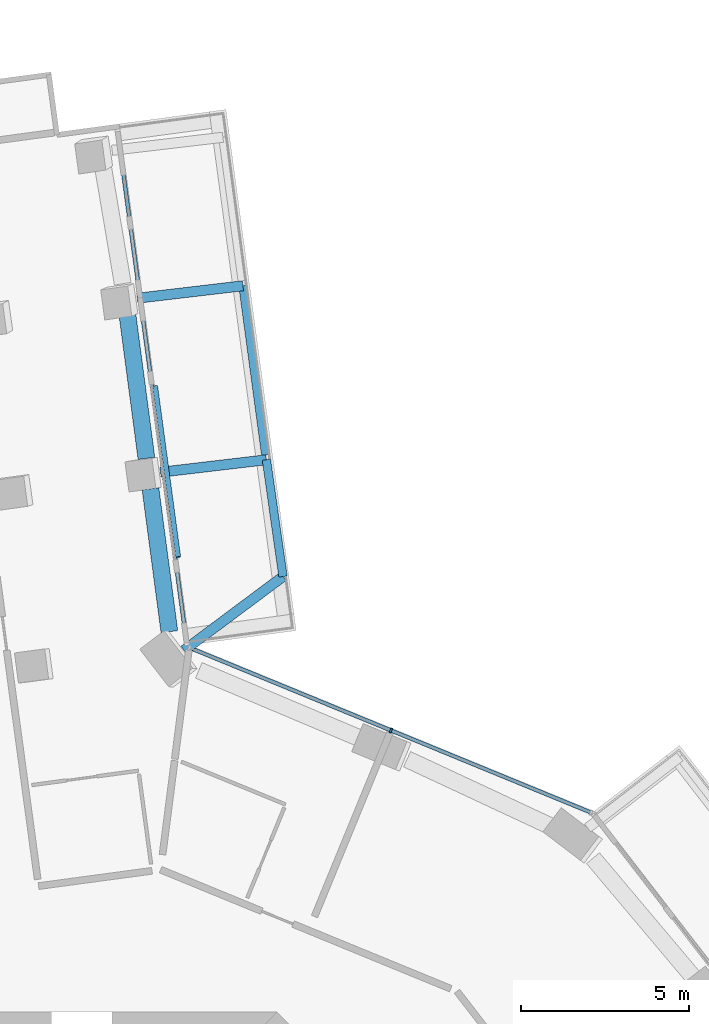
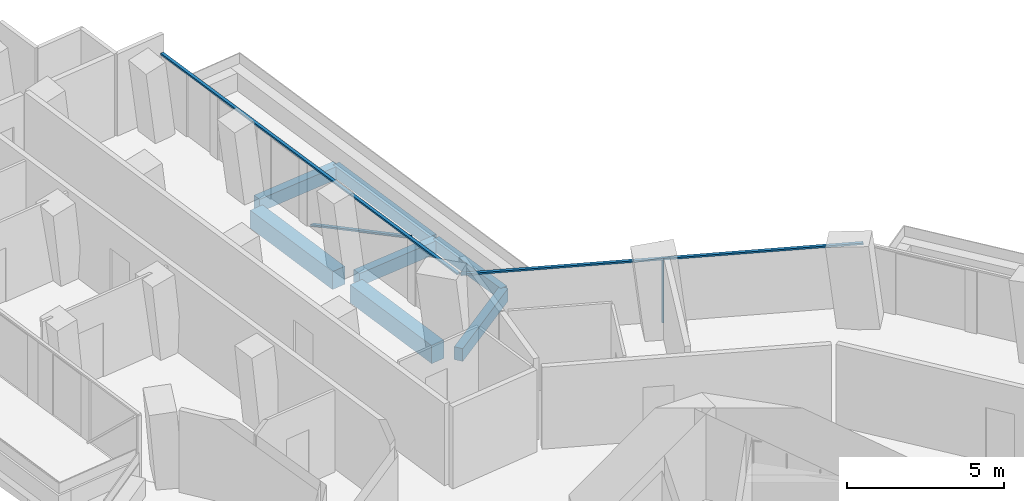
# One storey, part 10 of 27: 7 beams, 4 members, 2 elements without a shape of their own.
"""IFC4 building model written with IfcOpenShell, lengths in metres."""

from ifc_helpers import new_model, si_unit, direction, frame, origin, origin_2d, place, context, subcontext, project, spatial, rectangle, extrude, material, layer, layer_set, material_profile, profile_set, type_object, element, aggregate, save


model = new_model("IFC4")

# Units and contexts
model_context = context("Model", 3, precision=1e-05, world=origin(), true_north=direction((0.0, 1.0)))
body_context = subcontext(model_context, "Body", "Model", "MODEL_VIEW")
ifc_project = project(units=[si_unit("LENGTHUNIT", "METRE"), si_unit("AREAUNIT", "SQUARE_METRE"), si_unit("VOLUMEUNIT", "CUBIC_METRE"), si_unit("PLANEANGLEUNIT", "RADIAN"), si_unit("MASSUNIT", "GRAM", prefix="KILO")], contexts=[model_context])

# Site, building, storey
site_placement = place(None, origin())
site = spatial("IfcSite", under=ifc_project, at=site_placement, CompositionType="ELEMENT")
building_placement = place(site_placement, origin())
building = spatial("IfcBuilding", under=site, at=building_placement, Name="Verdalira Terraces Hotel", CompositionType="ELEMENT")
storey_placement = place(building_placement, frame((0.0, 0.0, 64.5)))
storey = spatial("IfcBuildingStorey", under=building, at=storey_placement, Name="L14", CompositionType="ELEMENT", Elevation=64.5)

# Beams
ifc_material_1 = material(Name="Concrete C40", Category="concrete")
ifc_material_profile_1 = material_profile(ifc_material_1, rectangle(XDim=0.300049, YDim=0.5, at=origin_2d()), Name="RC 300X500")
ifc_profile_set_1 = profile_set([ifc_material_profile_1], Name="Concrete C40")
beam_type_1 = type_object("IfcBeamType", Name="Balcony cantilever beam RC 300X500 C40", PredefinedType="BEAM", material=ifc_profile_set_1)
beam_1_placement = place(storey_placement, frame((3.040283, 24.751709, -0.560059), z_axis=(0.801587974, 0.597876844, 0.0), x_axis=(-0.597876844, 0.801587974, 0.0)))
element("IfcBeam", 1, at=beam_1_placement, inside=storey, type_object=beam_type_1, Name="Balcony cantilever beam R00-1", PredefinedType="BEAM", context=body_context, shape_type="SweptSolid", body=[
    extrude(rectangle(XDim=0.300049, YDim=0.5, at=origin_2d()), origin(), (0.0, 0.0, 1.0), 3.664795),
])
beam_2_placement = place(storey_placement, frame((2.340088, 30.041748, -0.560059), z_axis=(0.993136387, 0.116962029, 0.0), x_axis=(-0.116962029, 0.993136387, 0.0)))
element("IfcBeam", 2, at=beam_2_placement, inside=storey, type_object=beam_type_1, Name="Balcony cantilever beam R00-2", PredefinedType="BEAM", context=body_context, shape_type="SweptSolid", body=[
    extrude(rectangle(XDim=0.300049, YDim=0.5, at=origin_2d()), origin(), (0.0, 0.0, 1.0), 3.166504),
])
beam_3_placement = place(storey_placement, frame((1.649414, 35.210693, -0.560059), z_axis=(0.993136887, 0.116957782, 0.0), x_axis=(-0.116957782, 0.993136887, 0.0)))
element("IfcBeam", 3, at=beam_3_placement, inside=storey, type_object=beam_type_1, Name="Balcony cantilever beam R00-3", PredefinedType="BEAM", context=body_context, shape_type="SweptSolid", body=[
    extrude(rectangle(XDim=0.300049, YDim=0.5, at=origin_2d()), origin(), (0.0, 0.0, 1.0), 3.1604),
])
ifc_material_2 = material(Name="Concrete C40", Category="concrete")
ifc_material_profile_2 = material_profile(ifc_material_2, rectangle(XDim=0.25, YDim=0.449951, at=origin_2d()), Name="RC 250X450")
ifc_profile_set_2 = profile_set([ifc_material_profile_2], Name="Concrete C40")
beam_type_2 = type_object("IfcBeamType", Name="Balcony edge beam RC 250X450 C40", PredefinedType="BEAM", material=ifc_profile_set_2)
beam_4_placement = place(storey_placement, frame((5.978027, 26.942871, -0.534912), z_axis=(-0.140738532, 0.9900468, 0.0), x_axis=(-0.9900468, -0.140738532, 0.0)))
element("IfcBeam", 4, at=beam_4_placement, inside=storey, type_object=beam_type_2, Name="Balcony edge beam R00-1", PredefinedType="BEAM", context=body_context, shape_type="SweptSolid", body=[
    extrude(rectangle(XDim=0.25, YDim=0.449951, at=origin_2d()), origin(), (0.0, 0.0, 1.0), 3.50415),
])
beam_5_placement = place(storey_placement, frame((5.464844, 30.560791, -0.534912), z_axis=(-0.133615953, 0.991033187, 0.0), x_axis=(-0.991033187, -0.133615953, 0.0)))
element("IfcBeam", 5, at=beam_5_placement, inside=storey, type_object=beam_type_2, Name="Balcony edge beam R00-2", PredefinedType="BEAM", context=body_context, shape_type="SweptSolid", body=[
    extrude(rectangle(XDim=0.25, YDim=0.449951, at=origin_2d()), origin(), (0.0, 0.0, 1.0), 5.064941),
])

# Curtain wall, members
ifc_material_3 = material(Name="Clear glass", Category="glass")
ifc_layer_1 = layer(ifc_material_3, 0.14990234375)
ifc_layer_set_1 = layer_set([ifc_layer_1], Name="CW1 curtain wall")
curtain_wall_type_1 = type_object("IfcCurtainWallType", Name="CW1 curtain wall", PredefinedType="NOTDEFINED", material=ifc_layer_set_1)
curtain_wall_1_placement = place(storey_placement, origin())
curtain_wall_1 = element("IfcCurtainWall", 6, at=curtain_wall_1_placement, inside=storey, type_object=curtain_wall_type_1, Name="CW1 curtain wall L14 edge 41", PredefinedType="NOTDEFINED")
ifc_material_4 = material(Name="Terracotta frame", Category="masonry")
ifc_material_profile_3 = material_profile(ifc_material_4, rectangle(XDim=0.060059, YDim=0.149902, at=origin_2d()), Name="MU 60x150")
ifc_profile_set_3 = profile_set([ifc_material_profile_3], Name="Terracotta frame")
member_type_1 = type_object("IfcMemberType", Name="CW1 mullion 60x150", PredefinedType="MULLION", material=ifc_profile_set_3)
member_1_placement = place(storey_placement, frame((9.184326, 22.371338, 0.0), z_axis=(0.0, 0.0, 1.0), x_axis=(-0.925077207, 0.379779096, 0.0)))
member_1 = element("IfcMember", 7, at=member_1_placement, type_object=member_type_1, Name="CW1 mullion", PredefinedType="MULLION", context=body_context, shape_type="SweptSolid", body=[
    extrude(rectangle(XDim=0.060059, YDim=0.149902, at=origin_2d()), origin(), (0.0, 0.0, 1.0), 2.425049),
])
ifc_material_5 = material(Name="Terracotta frame", Category="masonry")
ifc_material_profile_4 = material_profile(ifc_material_5, rectangle(XDim=0.110107, YDim=0.064941, at=origin_2d()), Name="TR 65x110")
ifc_profile_set_4 = profile_set([ifc_material_profile_4], Name="Terracotta frame")
member_type_2 = type_object("IfcMemberType", Name="CW1 transom 65x110", PredefinedType="USERDEFINED", material=ifc_profile_set_4)
member_2_placement = place(storey_placement, frame((15.160156, 19.918213, 2.45752), z_axis=(-0.925076318, 0.37978126, 0.0), x_axis=(-0.37978126, -0.925076318, 0.0)))
member_2 = element("IfcMember", 8, at=member_2_placement, type_object=member_type_2, Name="CW1 transom", ObjectType="TRANSOM", PredefinedType="USERDEFINED", context=body_context, shape_type="SweptSolid", body=[
    extrude(rectangle(XDim=0.110107, YDim=0.064941, at=origin_2d()), origin(), (0.0, 0.0, 1.0), 12.959717),
])
aggregate(curtain_wall_1, [member_1, member_2])

ifc_material_6 = material(Name="Clear glass", Category="glass")
ifc_layer_2 = layer(ifc_material_6, 0.14990234375)
ifc_layer_set_2 = layer_set([ifc_layer_2], Name="CW2 curtain wall")
curtain_wall_type_2 = type_object("IfcCurtainWallType", Name="CW2 curtain wall", PredefinedType="NOTDEFINED", material=ifc_layer_set_2)
curtain_wall_2_placement = place(storey_placement, origin())
curtain_wall_2 = element("IfcCurtainWall", 9, at=curtain_wall_2_placement, inside=storey, type_object=curtain_wall_type_2, Name="CW2 curtain wall L14 edge 0", PredefinedType="NOTDEFINED")
ifc_material_7 = material(Name="Terracotta frame", Category="masonry")
ifc_material_profile_5 = material_profile(ifc_material_7, rectangle(XDim=0.11499, YDim=0.064941, at=origin_2d()), Name="TR 65x115")
ifc_profile_set_5 = profile_set([ifc_material_profile_5], Name="Terracotta frame")
member_type_3 = type_object("IfcMemberType", Name="CW2 transom 65x115", PredefinedType="USERDEFINED", material=ifc_profile_set_5)
member_3_placement = place(storey_placement, frame((3.125488, 24.899414, 2.45752), z_axis=(-0.133646891, 0.991029015, 0.0), x_axis=(-0.991029015, -0.133646891, 0.0)))
member_3 = element("IfcMember", 10, at=member_3_placement, type_object=member_type_3, Name="CW2 transom", ObjectType="TRANSOM", PredefinedType="USERDEFINED", context=body_context, shape_type="SweptSolid", body=[
    extrude(rectangle(XDim=0.11499, YDim=0.064941, at=origin_2d()), origin(), (0.0, 0.0, 1.0), 15.470703),
])
ifc_material_8 = material(Name="Terracotta frame", Category="masonry")
ifc_material_profile_6 = material_profile(ifc_material_8, rectangle(XDim=0.149902, YDim=0.060059, at=origin_2d()), Name="GB 60x150")
ifc_profile_set_6 = profile_set([ifc_material_profile_6], Name="Terracotta frame")
member_type_4 = type_object("IfcMemberType", Name="Diagonal glazing bar 60x150", PredefinedType="USERDEFINED", material=ifc_profile_set_6)
member_4_placement = place(storey_placement, frame((2.86377, 27.520508, 2.396973), z_axis=(-0.12127653, 0.899539683, -0.419666965), x_axis=(-0.991033744, -0.133611819, 0.0)))
member_4 = element("IfcMember", 11, at=member_4_placement, type_object=member_type_4, Name="Diagonal glazing bar", ObjectType="GLAZING BAR", PredefinedType="USERDEFINED", context=body_context, shape_type="SweptSolid", body=[
    extrude(rectangle(XDim=0.149902, YDim=0.060059, at=origin_2d()), origin(), (0.0, 0.0, 1.0), 5.644775),
])
aggregate(curtain_wall_2, [member_3, member_4])

# Beams
ifc_material_9 = material(Name="Concrete C70", Category="concrete")
ifc_material_profile_7 = material_profile(ifc_material_9, rectangle(XDim=0.5, YDim=0.699951, at=origin_2d()), Name="RC 500X700")
ifc_profile_set_7 = profile_set([ifc_material_profile_7], Name="Concrete C70")
beam_type_3 = type_object("IfcBeamType", Name="Spandrel beam RC 500X700 C70", PredefinedType="SPANDREL", material=ifc_profile_set_7)
beam_6_placement = place(storey_placement, frame((2.602783, 25.302246, -0.659912), z_axis=(-0.131185657, 0.991357818, 0.0), x_axis=(-0.991357818, -0.131185657, 0.0)))
element("IfcBeam", 12, at=beam_6_placement, inside=storey, type_object=beam_type_3, Name="Spandrel beam B01", PredefinedType="SPANDREL", context=body_context, shape_type="SweptSolid", body=[
    extrude(rectangle(XDim=0.5, YDim=0.699951, at=origin_2d()), origin(), (0.0, 0.0, 1.0), 4.28418),
])
beam_7_placement = place(storey_placement, frame((1.921143, 30.452637, -0.659912), z_axis=(-0.131117896, 0.991366783, 0.0), x_axis=(-0.991366783, -0.131117896, 0.0)))
element("IfcBeam", 13, at=beam_7_placement, inside=storey, type_object=beam_type_3, Name="Spandrel beam B02", PredefinedType="SPANDREL", context=body_context, shape_type="SweptSolid", body=[
    extrude(rectangle(XDim=0.5, YDim=0.699951, at=origin_2d()), origin(), (0.0, 0.0, 1.0), 4.312256),
])

save(model, "model.ifc")
